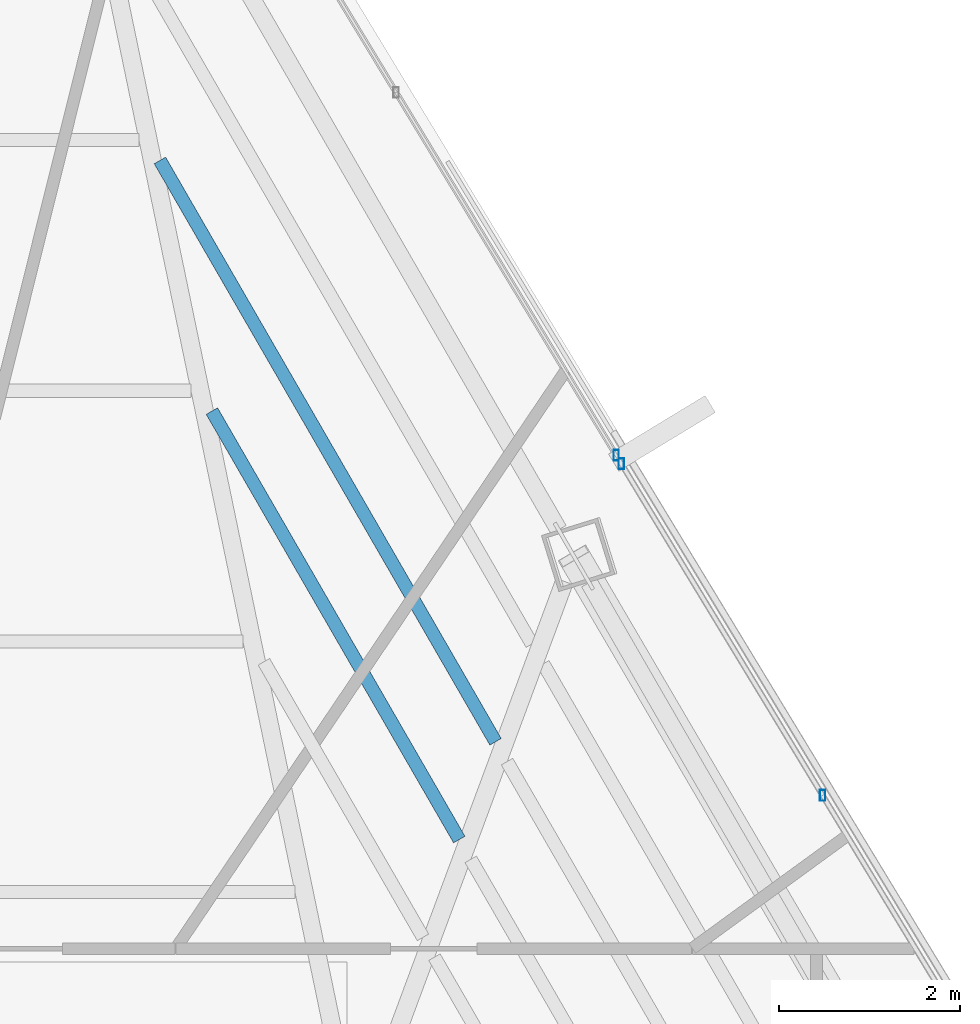
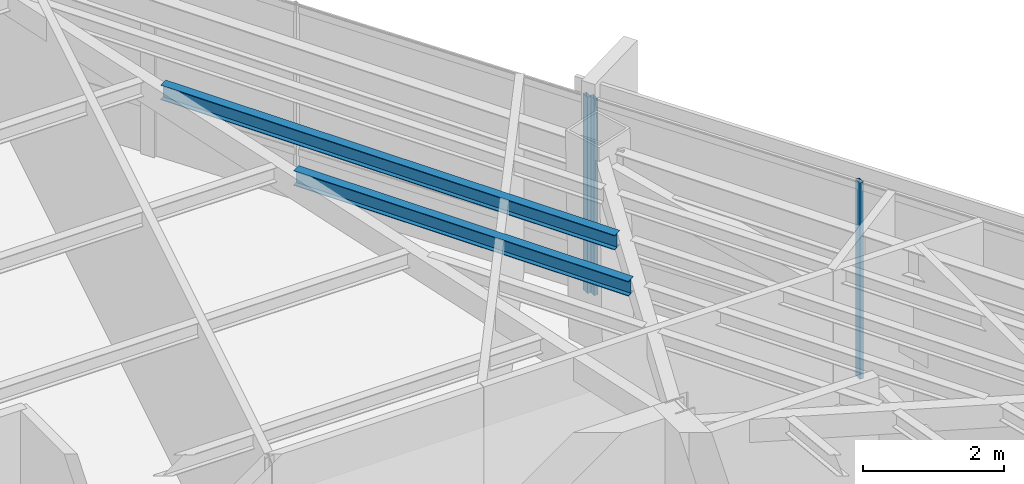
# One storey, part 28 of 42: 3 members, 2 beams, 2 elements without a shape of their own.
"""IFC4 building model written with IfcOpenShell, lengths in metres."""

import ifcopenshell
import ifcopenshell.guid

model = None  # the IFC model being written
_history = None  # IfcOwnerHistory: only IFC2X3 demands one
_inside = {}  # id of a spatial element -> (the spatial element, [elements in it])
_under = {}  # id of a project, library or spatial element -> (it, [spatial elements below it])
_declared = {}  # id of a project -> (the project, [libraries it declares])
_typed = {}  # id of a type object -> (the type object, [elements of that type])
_made_of = {}  # id of a material, layer set ... -> (it, [elements and type objects made of it])


def new_model(schema):
    """Start an empty IFC model of exactly this schema.

    Asked for "IFC4X3", IfcOpenShell would pick the latest addendum, in which some entities
    have other attributes; the version numbers below select the first issue.
    IFC2X3 requires an IfcOwnerHistory on every rooted entity: one is made here for all.
    """
    global model, _history
    if schema == "IFC4X3":
        model = ifcopenshell.file(schema_version=(4, 3, 0, 0))
    else:
        model = ifcopenshell.file(schema=schema)
    _inside.clear()
    _under.clear()
    _declared.clear()
    _typed.clear()
    _made_of.clear()
    _history = None
    if model.schema == "IFC2X3":
        org = make("IfcOrganization", Name="unknown")
        user = make(
            "IfcPersonAndOrganization",
            ThePerson=make("IfcPerson", FamilyName="unknown"),
            TheOrganization=org,
        )
        app = make(
            "IfcApplication",
            ApplicationDeveloper=org,
            Version="unknown",
            ApplicationFullName="unknown",
            ApplicationIdentifier="unknown",
        )
        _history = make(
            "IfcOwnerHistory",
            OwningUser=user,
            OwningApplication=app,
            ChangeAction="ADDED",
            CreationDate=0,
        )
    return model


def make(cls, **values):
    """One entity of the class cls with the attributes given. An attribute that is None is left unset."""
    return model.create_entity(
        cls, **{name: value for name, value in values.items() if value is not None}
    )


def rooted(cls, **values):
    """An entity with a GlobalId (a new one), such as an element, a storey or a relation."""
    return make(cls, GlobalId=ifcopenshell.guid.new(), OwnerHistory=_history, **values)


def si_unit(unit_type, name, prefix=None):
    """IfcSIUnit, for example si_unit("LENGTHUNIT", "METRE", prefix="MILLI")."""
    return make("IfcSIUnit", UnitType=unit_type, Prefix=prefix, Name=name)


def assignment(units):
    """IfcUnitAssignment: the units of a project."""
    return None if units is None else make("IfcUnitAssignment", Units=units)


def point(xyz):
    """IfcCartesianPoint."""
    return None if xyz is None else make("IfcCartesianPoint", Coordinates=xyz)


def direction(xyz):
    """IfcDirection."""
    return None if xyz is None else make("IfcDirection", DirectionRatios=xyz)


def frame(location, z_axis=None, x_axis=None):
    """IfcAxis2Placement3D, a coordinate frame: its origin and axes. An axis left out is left unset."""
    return make(
        "IfcAxis2Placement3D",
        Location=point(location),
        Axis=direction(z_axis),
        RefDirection=direction(x_axis),
    )


def frame_2d(location, x_axis=None):
    """IfcAxis2Placement2D, a coordinate frame in the plane: its origin and x axis."""
    return make(
        "IfcAxis2Placement2D", Location=point(location), RefDirection=direction(x_axis)
    )


def origin():
    """The frame at (0, 0, 0) with its axes left unset."""
    return frame((0.0, 0.0, 0.0))


def origin_2d():
    """The frame at (0, 0) in the plane with its x axis left unset."""
    return frame_2d((0.0, 0.0))


def place(relative_to, where):
    """IfcLocalPlacement: puts the frame where relative to a parent placement (None: the world)."""
    return make(
        "IfcLocalPlacement", PlacementRelTo=relative_to, RelativePlacement=where
    )


def context(
    kind, dimensions, precision=None, world=None, true_north=None, identifier=None
):
    """IfcGeometricRepresentationContext, for example the 3D "Model" context."""
    return make(
        "IfcGeometricRepresentationContext",
        ContextIdentifier=identifier,
        ContextType=kind,
        CoordinateSpaceDimension=dimensions,
        Precision=precision,
        WorldCoordinateSystem=world,
        TrueNorth=true_north,
    )


def subcontext(parent, identifier, kind, view, scale=None):
    """IfcGeometricRepresentationSubContext, for example "Body" below "Model"."""
    return make(
        "IfcGeometricRepresentationSubContext",
        ContextIdentifier=identifier,
        ContextType=kind,
        ParentContext=parent,
        TargetScale=scale,
        TargetView=view,
    )


def project(units=None, contexts=None):
    """IfcProject with its units and contexts."""
    return rooted(
        "IfcProject",
        Name="project",
        RepresentationContexts=contexts,
        UnitsInContext=assignment(units),
    )


def spatial(cls, under=None, at=None, **own):
    """A site, building, storey or space (cls), placed at a placement, below another one or the project."""
    s = rooted(cls, ObjectPlacement=at, **own)
    if under is not None:
        _under.setdefault(under.id(), (under, []))[1].append(s)
    return s


def profile(cls, at=None, kind="AREA", **sizes):
    """A parametric profile (cls). Its sizes go by their IFC names, for example OverallWidth=200.0."""
    return make(cls, ProfileType=kind, Position=at, **sizes)


def hollow_rectangle(**sizes):
    """IfcRectangleHollowProfileDef."""
    return profile("IfcRectangleHollowProfileDef", **sizes)


def i_section(**sizes):
    """IfcIShapeProfileDef."""
    return profile("IfcIShapeProfileDef", **sizes)


def extrude(swept, where, along, depth):
    """IfcExtrudedAreaSolid: the profile swept, set in the frame where, extruded along a direction by depth."""
    return make(
        "IfcExtrudedAreaSolid",
        SweptArea=swept,
        Position=where,
        ExtrudedDirection=direction(along),
        Depth=depth,
    )


def shape(context_of_items, identifier, shape_type, items):
    """IfcShapeRepresentation: the items that make up one representation, for example the "Body"."""
    return make(
        "IfcShapeRepresentation",
        ContextOfItems=context_of_items,
        RepresentationIdentifier=identifier,
        RepresentationType=shape_type,
        Items=items,
    )


def source(mapping_origin, context_of_items, identifier, shape_type, items):
    """IfcRepresentationMap: a shape defined once, which mapped items show again and again."""
    return make(
        "IfcRepresentationMap",
        MappingOrigin=mapping_origin,
        MappedRepresentation=shape(context_of_items, identifier, shape_type, items),
    )


def transform(
    local_origin,
    x_axis=None,
    y_axis=None,
    z_axis=None,
    scale=None,
    scale2=None,
    scale3=None,
    uniform=True,
):
    """IfcCartesianTransformationOperator3D, or its non-uniform kind. x_axis, y_axis, z_axis: its Axis1, 2, 3."""
    if uniform:
        return make(
            "IfcCartesianTransformationOperator3D",
            Axis1=direction(x_axis),
            Axis2=direction(y_axis),
            LocalOrigin=point(local_origin),
            Scale=scale,
            Axis3=direction(z_axis),
        )
    return make(
        "IfcCartesianTransformationOperator3DnonUniform",
        Axis1=direction(x_axis),
        Axis2=direction(y_axis),
        LocalOrigin=point(local_origin),
        Scale=scale,
        Axis3=direction(z_axis),
        Scale2=scale2,
        Scale3=scale3,
    )


def mapped(mapping_source, mapping_target):
    """IfcMappedItem: shows the shape of a source again, moved by a transform."""
    return make(
        "IfcMappedItem", MappingSource=mapping_source, MappingTarget=mapping_target
    )


def material(Name=None, Category=None):
    """IfcMaterial."""
    return make("IfcMaterial", Name=Name, Category=Category)


def material_profile(
    of_material, cross_section, Name=None, Category=None, Priority=None
):
    """IfcMaterialProfile: a cross section and its material."""
    return make(
        "IfcMaterialProfile",
        Name=Name,
        Material=of_material,
        Profile=cross_section,
        Priority=Priority,
        Category=Category,
    )


def profile_set(profiles, Name=None, composite=None):
    """IfcMaterialProfileSet."""
    return make(
        "IfcMaterialProfileSet",
        Name=Name,
        MaterialProfiles=profiles,
        CompositeProfile=composite,
    )


def made_of(thing, what):
    """Note that an element or type object is made of a material, layer set ...; save() writes the relation."""
    if what is not None:
        _made_of.setdefault(what.id(), (what, []))[1].append(thing)
    return thing


def type_object(cls, material=None, **own):
    """A type object (cls), such as IfcWallType, which elements share."""
    return made_of(rooted(cls, **own), material)


def type_shapes(of_type, sources):
    """Give a type object the sources (RepresentationMaps) that its elements show as mapped items."""
    of_type.RepresentationMaps = sources


def element(
    cls,
    number,
    at=None,
    inside=None,
    cuts=None,
    type_object=None,
    material=None,
    context=None,
    identifier="Body",
    shape_type=None,
    held_by="IfcProductDefinitionShape",
    body=None,
    shapes=None,
    **own,
):
    """One element of the class cls, such as IfcWall. Its Tag is "e" and its number.

    at: its placement. inside: the storey or other place that contains it. cuts: it is an
    opening in that element (IfcRelVoidsElement). A single representation is given by context,
    identifier, shape_type and body (its items); several are given by shapes. held_by: the class
    of the entity that holds the representations. save() writes the other relations.
    """
    e = rooted(cls, Tag="e%d" % number, ObjectPlacement=at, **own)
    if body is not None:
        shapes = [shape(context, identifier, shape_type, body)]
    if shapes is not None:
        e.Representation = make(held_by, Representations=shapes)
    if inside is not None:
        _inside.setdefault(inside.id(), (inside, []))[1].append(e)
    if cuts is not None:
        rooted(
            "IfcRelVoidsElement", RelatingBuildingElement=cuts, RelatedOpeningElement=e
        )
    if type_object is not None:
        _typed.setdefault(type_object.id(), (type_object, []))[1].append(e)
    return made_of(e, material)


def aggregate(whole, parts):
    """IfcRelAggregates: a whole, such as a stair, and the parts it consists of."""
    return rooted("IfcRelAggregates", RelatingObject=whole, RelatedObjects=parts)


def save(model, path):
    """Write the relations noted so far, then the file.

    IfcRelAggregates (storeys below a building ...), IfcRelContainedInSpatialStructure (elements
    in a storey), IfcRelDefinesByType, IfcRelAssociatesMaterial and IfcRelDeclares: one each for
    every whole, place, type object, material and project.
    """
    for whole, parts in _under.values():
        aggregate(whole, parts)
    for where, things in _inside.values():
        rooted(
            "IfcRelContainedInSpatialStructure",
            RelatedElements=things,
            RelatingStructure=where,
        )
    for kind, things in _typed.values():
        rooted("IfcRelDefinesByType", RelatedObjects=things, RelatingType=kind)
    for what, things in _made_of.values():
        rooted("IfcRelAssociatesMaterial", RelatedObjects=things, RelatingMaterial=what)
    for by, libraries in _declared.values():
        rooted("IfcRelDeclares", RelatingContext=by, RelatedDefinitions=libraries)
    model.write(path)


model = new_model("IFC4")

# Units and contexts
model_context = context("Model", 3, precision=1e-05, world=origin(), true_north=direction((0.0, 1.0)))
body_context = subcontext(model_context, "Body", "Model", "MODEL_VIEW")
ifc_project = project(units=[si_unit("LENGTHUNIT", "METRE"), si_unit("AREAUNIT", "SQUARE_METRE"), si_unit("VOLUMEUNIT", "CUBIC_METRE"), si_unit("PLANEANGLEUNIT", "RADIAN"), si_unit("MASSUNIT", "GRAM", prefix="KILO")], contexts=[model_context])

# Site, building, storey
site_placement = place(None, origin())
site = spatial("IfcSite", under=ifc_project, at=site_placement, CompositionType="ELEMENT")
building_placement = place(site_placement, origin())
building = spatial("IfcBuilding", under=site, at=building_placement, Name="Caelisora Broadcast Tower", CompositionType="ELEMENT")
storey_placement = place(building_placement, frame((0.0, 0.0, 244.449951171875)))
storey = spatial("IfcBuildingStorey", under=building, at=storey_placement, Name="L64", CompositionType="ELEMENT", Elevation=244.449951171875)

# Beams
ifc_material_1 = material(Name="Steel Grade 350 (AS/NZS 3679.1)", Category="steel")
ifc_material_profile_1 = material_profile(ifc_material_1, i_section(OverallWidth=0.14599609375, OverallDepth=0.256103515625, WebThickness=0.00634765625, FlangeThickness=0.010986328125, at=origin_2d()), Name="Steel Grade 350 (AS/NZS 3679.1)")
ifc_profile_set_1 = profile_set([ifc_material_profile_1], Name="Steel Grade 350 (AS/NZS 3679.1)")
beam_type = type_object("IfcBeamType", Name="SB04", PredefinedType="JOIST", material=ifc_profile_set_1)
shared_shape_1 = source(origin(), body_context, "Body", "SweptSolid", [
    extrude(i_section(OverallWidth=0.14599609375, OverallDepth=0.256103515625, WebThickness=0.00634765625, FlangeThickness=0.010986328125, at=origin_2d()), origin(), (0.0, 0.0, 1.0), 5.48046875),
])
beam_1_placement = place(storey_placement, frame((46.642333984375, 33.358642578125, 3.27197265625), z_axis=(-0.500010383074, 0.866019409031, 0.0), x_axis=(-0.866019409031, -0.500010383074, 0.0)))
element("IfcBeam", 1, at=beam_1_placement, inside=storey, type_object=beam_type, Name="L64 beam SB04", PredefinedType="JOIST", context=body_context, shape_type="MappedRepresentation", body=[
    mapped(shared_shape_1, transform((0.0, 0.0, 0.0), scale=1.0)),
])
shared_shape_2 = source(origin(), body_context, "Body", "SweptSolid", [
    extrude(i_section(OverallWidth=0.14599609375, OverallDepth=0.256103515625, WebThickness=0.00634765625, FlangeThickness=0.010986328125, at=origin_2d()), origin(), (0.0, 0.0, 1.0), 7.435791015625),
])
type_shapes(beam_type, [shared_shape_1, shared_shape_2])
beam_2_placement = place(storey_placement, frame((47.044189453125, 34.441650390625, 3.27197265625), z_axis=(-0.499981086825, 0.866036323036, 0.0), x_axis=(-0.866036323036, -0.499981086825, 0.0)))
element("IfcBeam", 2, at=beam_2_placement, inside=storey, type_object=beam_type, Name="L64 beam SB04", PredefinedType="JOIST", context=body_context, shape_type="MappedRepresentation", body=[
    mapped(shared_shape_2, transform((0.0, 0.0, 0.0), scale=1.0)),
])

# Curtain wall, member
ifc_material_2 = material(Name="Unitised Aluminium and Low-E Glass Curtain Wall", Category="glass")
curtain_wall_type_1 = type_object("IfcCurtainWallType", Name="CW-Z5", PredefinedType="NOTDEFINED", material=ifc_material_2)
curtain_wall_1_placement = place(storey_placement, origin())
curtain_wall_1 = element("IfcCurtainWall", 3, at=curtain_wall_1_placement, inside=storey, type_object=curtain_wall_type_1, Name="L64 curtain wall CW-Z5", PredefinedType="NOTDEFINED")
ifc_material_3 = material(Name="Aluminium 6063-T6 Anodised Terracotta Bronze", Category="aluminium")
ifc_material_profile_2 = material_profile(ifc_material_3, hollow_rectangle(XDim=0.06005859375, YDim=0.1201171875, WallThickness=0.0029296875, at=origin_2d()), Name="Aluminium 6063-T6 Anodised Terracotta Bronze")
ifc_profile_set_2 = profile_set([ifc_material_profile_2], Name="Aluminium 6063-T6 Anodised Terracotta Bronze")
member_type = type_object("IfcMemberType", Name="CWM-04", PredefinedType="MULLION", material=ifc_profile_set_2)
shared_shape_3 = source(origin(), body_context, "Body", "SweptSolid", [
    extrude(hollow_rectangle(XDim=0.06005859375, YDim=0.1201171875, WallThickness=0.0029296875, at=origin_2d()), origin(), (0.0, 0.0, 1.0), 3.400146484375),
])
type_shapes(member_type, [shared_shape_3])
member_1_placement = place(storey_placement, frame((48.381103515625, 37.615234375, 0.0), z_axis=(0.0, 0.0, 1.0), x_axis=(1.0, 0.0, 0.0)))
member_1 = element("IfcMember", 4, at=member_1_placement, type_object=member_type, Name="L64-CW-B01 mullion #3", PredefinedType="MULLION", context=body_context, shape_type="MappedRepresentation", body=[
    mapped(shared_shape_3, transform((0.0, 0.0, 0.0), scale=1.0)),
])
aggregate(curtain_wall_1, [member_1])

# Curtain wall, members
ifc_material_4 = material(Name="Unitised Aluminium Insulated Shadow-Box Spandrel Curtain Wall", Category="aluminium")
curtain_wall_type_2 = type_object("IfcCurtainWallType", Name="CW-SP3", PredefinedType="NOTDEFINED", material=ifc_material_4)
curtain_wall_2_placement = place(storey_placement, origin())
curtain_wall_2 = element("IfcCurtainWall", 5, at=curtain_wall_2_placement, inside=storey, type_object=curtain_wall_type_2, Name="L64 curtain wall CW-SP3", PredefinedType="NOTDEFINED")
member_2_placement = place(storey_placement, frame((48.43798828125, 37.521240234375, 0.0), z_axis=(0.0, 0.0, 1.0), x_axis=(1.0, 0.0, 0.0)))
member_2 = element("IfcMember", 6, at=member_2_placement, type_object=member_type, Name="L64-CW-B02 mullion #0", PredefinedType="MULLION", context=body_context, shape_type="MappedRepresentation", body=[
    mapped(shared_shape_3, transform((0.0, 0.0, 0.0), scale=1.0)),
])
member_3_placement = place(storey_placement, frame((50.666748046875, 33.847900390625, 0.0), z_axis=(0.0, 0.0, 1.0), x_axis=(1.0, 0.0, 0.0)))
member_3 = element("IfcMember", 7, at=member_3_placement, type_object=member_type, Name="L64-CW-B02 mullion #1", PredefinedType="MULLION", context=body_context, shape_type="MappedRepresentation", body=[
    mapped(shared_shape_3, transform((0.0, 0.0, 0.0), scale=1.0)),
])
aggregate(curtain_wall_2, [member_2, member_3])

save(model, "model.ifc")
